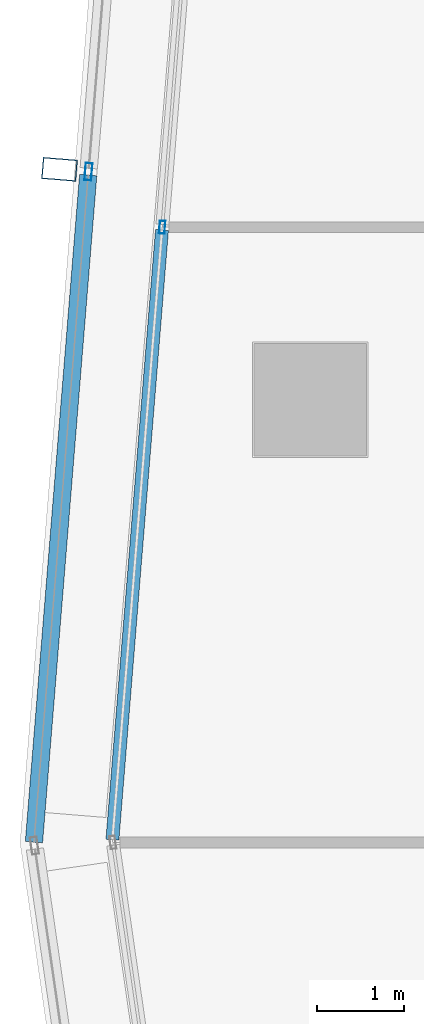
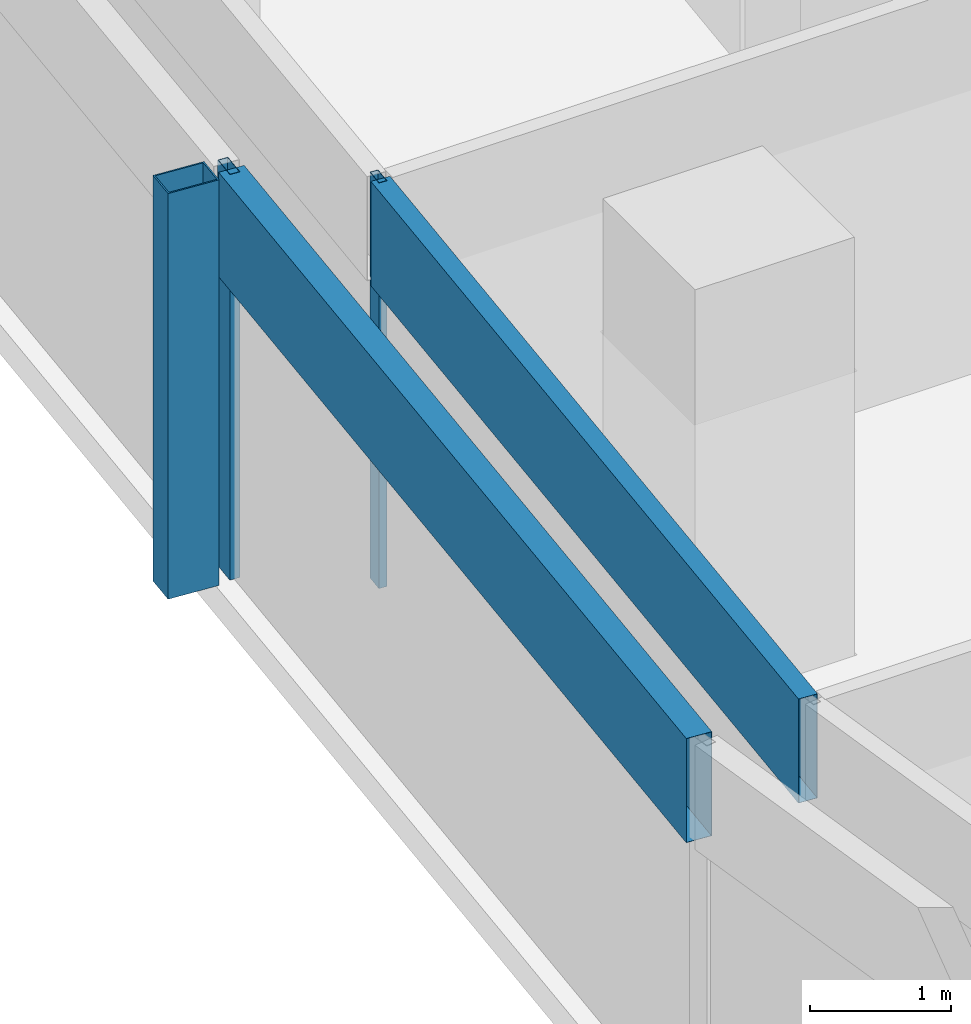
# One storey, part 7 of 28: 5 members, 2 elements without a shape of their own.
"""IFC4 building model written with IfcOpenShell, lengths in metres."""

from ifc_helpers import new_model, si_unit, direction, frame, origin, origin_2d, place, context, subcontext, project, spatial, hollow_rectangle, extrude, material, material_profile, profile_set, type_object, element, aggregate, save


model = new_model("IFC4")

# Units and contexts
model_context = context("Model", 3, precision=1e-05, world=origin(), true_north=direction((0.0, 1.0)))
body_context = subcontext(model_context, "Body", "Model", "MODEL_VIEW")
ifc_project = project(units=[si_unit("LENGTHUNIT", "METRE"), si_unit("AREAUNIT", "SQUARE_METRE"), si_unit("VOLUMEUNIT", "CUBIC_METRE"), si_unit("PLANEANGLEUNIT", "RADIAN"), si_unit("MASSUNIT", "GRAM", prefix="KILO")], contexts=[model_context])

# Site, building, storey
site_placement = place(None, origin())
site = spatial("IfcSite", under=ifc_project, at=site_placement, CompositionType="ELEMENT")
building_placement = place(site_placement, origin())
building = spatial("IfcBuilding", under=site, at=building_placement, Name="Rekha Terrace Tower", CompositionType="ELEMENT")
storey_placement = place(building_placement, frame((0.0, 0.0, 253.85009765625)))
storey = spatial("IfcBuildingStorey", under=building, at=storey_placement, Name="L64", CompositionType="ELEMENT", Elevation=253.85009765625)

# Curtain wall, member
ifc_material_1 = material(Name="Aluminium framing", Category="aluminium")
curtain_wall_type_1 = type_object("IfcCurtainWallType", Name="CW2 double skin outer glazing", PredefinedType="USERDEFINED", material=ifc_material_1)
curtain_wall_1_placement = place(storey_placement, origin())
curtain_wall_1 = element("IfcCurtainWall", 1, at=curtain_wall_1_placement, inside=storey, type_object=curtain_wall_type_1, Name="CW2 double skin outer glazing", ObjectType="DOUBLE SKIN OUTER GLAZING", PredefinedType="USERDEFINED")
ifc_material_2 = material(Name="Steel S355 with fluorocarbon finish", Category="steel")
ifc_material_profile_1 = material_profile(ifc_material_2, hollow_rectangle(XDim=0.25, YDim=0.39990234375, WallThickness=0.012451171875, at=origin_2d()), Name="RHS400x250x12.5")
ifc_profile_set_1 = profile_set([ifc_material_profile_1], Name="Steel S355 with fluorocarbon finish")
member_type_1 = type_object("IfcMemberType", Name="BL1 facade blade RHS 400 x 250", PredefinedType="USERDEFINED", material=ifc_profile_set_1)
member_1_placement = place(storey_placement, frame((5.506103515625, 36.257568359375, 0.0), z_axis=(0.0, 0.0, 1.0), x_axis=(-0.081068747348, -0.996708512156, 0.0)))
member_1 = element("IfcMember", 2, at=member_1_placement, type_object=member_type_1, Name="Facade blade", ObjectType="FACADE BLADE", PredefinedType="USERDEFINED", context=body_context, shape_type="SweptSolid", body=[
    extrude(hollow_rectangle(XDim=0.25, YDim=0.39990234375, WallThickness=0.012451171875, at=origin_2d()), origin(), (0.0, 0.0, 1.0), 3.5),
])

# Curtain wall, members
curtain_wall_type_2 = type_object("IfcCurtainWallType", Name="CW1 double skin inner glazing", PredefinedType="USERDEFINED", material=ifc_material_1)
curtain_wall_2_placement = place(storey_placement, origin())
curtain_wall_2 = element("IfcCurtainWall", 3, at=curtain_wall_2_placement, inside=storey, type_object=curtain_wall_type_2, Name="CW1 double skin inner glazing", ObjectType="DOUBLE SKIN INNER GLAZING", PredefinedType="USERDEFINED")
ifc_material_3 = material(Name="Aluminium mullion section", Category="aluminium")
ifc_material_profile_2 = material_profile(ifc_material_3, hollow_rectangle(XDim=0.06494140625, YDim=0.14990234375, WallThickness=0.00390625, at=origin_2d()), Name="AL RHS 65x150")
ifc_profile_set_2 = profile_set([ifc_material_profile_2], Name="Aluminium mullion section")
member_type_2 = type_object("IfcMemberType", Name="CW1 mullion RHS 65 x 150", PredefinedType="MULLION", material=ifc_profile_set_2)
member_2_placement = place(storey_placement, frame((6.69091796875, 35.58984375, 0.0), z_axis=(0.0, 0.0, 1.0), x_axis=(0.996708580524, -0.081067906781, 0.0)))
member_2 = element("IfcMember", 4, at=member_2_placement, type_object=member_type_2, Name="CW1 mullion 3", PredefinedType="MULLION", context=body_context, shape_type="SweptSolid", body=[
    extrude(hollow_rectangle(XDim=0.06494140625, YDim=0.14990234375, WallThickness=0.00390625, at=origin_2d()), origin(), (0.0, 0.0, 1.0), 3.5),
])
ifc_material_4 = material(Name="Insulated aluminium spandrel box", Category="aluminium")
ifc_material_profile_3 = material_profile(ifc_material_4, hollow_rectangle(XDim=0.14990234375, YDim=0.89990234375, WallThickness=0.0029296875, at=origin_2d()), Name="AL SPANDREL BOX 150x900")
ifc_profile_set_3 = profile_set([ifc_material_profile_3], Name="Insulated aluminium spandrel box")
member_type_3 = type_object("IfcMemberType", Name="CW1 spandrel transom 150 x 900", PredefinedType="USERDEFINED", material=ifc_profile_set_3)
member_3_placement = place(storey_placement, frame((6.688232421875, 35.557373046875, 3.0498046875), z_axis=(-0.081052724461, -0.996709815271, 0.0), x_axis=(0.996709815271, -0.081052724461, 0.0)))
member_3 = element("IfcMember", 5, at=member_3_placement, type_object=member_type_3, Name="CW1 spandrel transom 3", ObjectType="TRANSOM", PredefinedType="USERDEFINED", context=body_context, shape_type="SweptSolid", body=[
    extrude(hollow_rectangle(XDim=0.14990234375, YDim=0.89990234375, WallThickness=0.0029296875, at=origin_2d()), origin(), (0.0, 0.0, 1.0), 7.057373046875),
])
aggregate(curtain_wall_2, [member_2, member_3])

# Member
ifc_material_profile_4 = material_profile(ifc_material_3, hollow_rectangle(XDim=0.080078125, YDim=0.199951171875, WallThickness=0.00390625, at=origin_2d()), Name="AL RHS 80x200")
ifc_profile_set_4 = profile_set([ifc_material_profile_4], Name="Aluminium mullion section")
member_type_4 = type_object("IfcMemberType", Name="CW2 mullion RHS 80 x 200", PredefinedType="MULLION", material=ifc_profile_set_4)
member_4_placement = place(storey_placement, frame((5.840087890625, 36.23046875, 0.0), z_axis=(0.0, 0.0, 1.0), x_axis=(0.996708580521, -0.081067906816, 0.0)))
member_4 = element("IfcMember", 6, at=member_4_placement, type_object=member_type_4, Name="CW2 mullion 3", PredefinedType="MULLION", context=body_context, shape_type="SweptSolid", body=[
    extrude(hollow_rectangle(XDim=0.080078125, YDim=0.199951171875, WallThickness=0.00390625, at=origin_2d()), origin(), (0.0, 0.0, 1.0), 3.5),
])

ifc_material_profile_5 = material_profile(ifc_material_4, hollow_rectangle(XDim=0.199951171875, YDim=0.89990234375, WallThickness=0.0029296875, at=origin_2d()), Name="AL SPANDREL BOX 200x900")
ifc_profile_set_5 = profile_set([ifc_material_profile_5], Name="Insulated aluminium spandrel box")
member_type_5 = type_object("IfcMemberType", Name="CW2 spandrel transom 200 x 900", PredefinedType="USERDEFINED", material=ifc_profile_set_5)
member_5_placement = place(storey_placement, frame((5.8369140625, 36.190673828125, 3.0498046875), z_axis=(-0.08107481866, -0.996708018318, 0.0), x_axis=(0.996708018318, -0.08107481866, 0.0)))
member_5 = element("IfcMember", 7, at=member_5_placement, type_object=member_type_5, Name="CW2 spandrel transom 3", ObjectType="TRANSOM", PredefinedType="USERDEFINED", context=body_context, shape_type="SweptSolid", body=[
    extrude(hollow_rectangle(XDim=0.199951171875, YDim=0.89990234375, WallThickness=0.0029296875, at=origin_2d()), origin(), (0.0, 0.0, 1.0), 7.720947265625),
])

aggregate(curtain_wall_1, [member_4, member_5, member_1])

save(model, "model.ifc")
